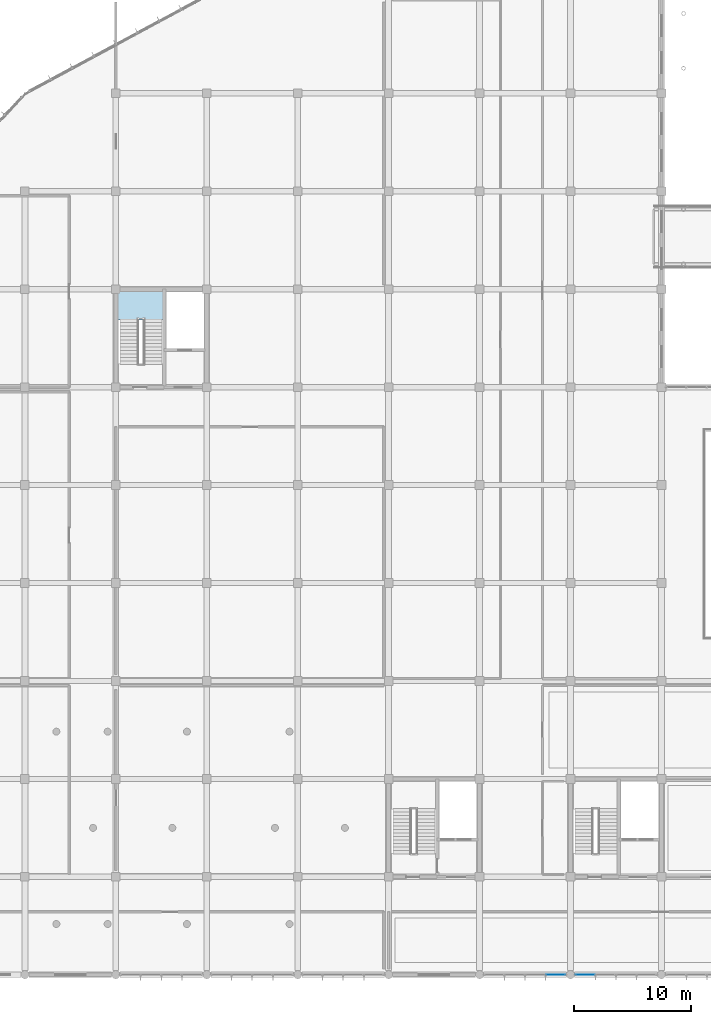
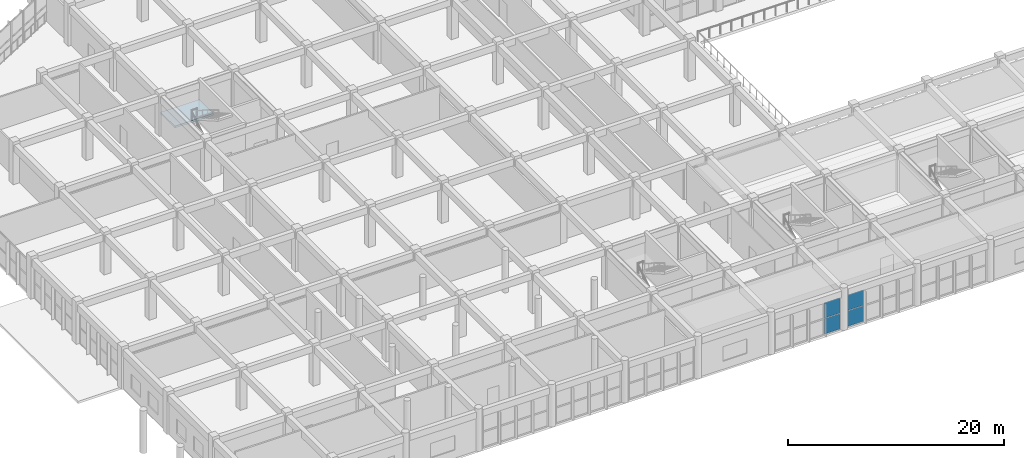
# One storey, part 135 of 175: 4 plates, 1 slab, 3 elements without a shape of their own.
"""IFC4 building model written with IfcOpenShell, lengths in metres."""

import ifcopenshell
import ifcopenshell.guid

model = None  # the IFC model being written
_history = None  # IfcOwnerHistory: only IFC2X3 demands one
_inside = {}  # id of a spatial element -> (the spatial element, [elements in it])
_under = {}  # id of a project, library or spatial element -> (it, [spatial elements below it])
_declared = {}  # id of a project -> (the project, [libraries it declares])
_typed = {}  # id of a type object -> (the type object, [elements of that type])
_made_of = {}  # id of a material, layer set ... -> (it, [elements and type objects made of it])


def new_model(schema):
    """Start an empty IFC model of exactly this schema.

    Asked for "IFC4X3", IfcOpenShell would pick the latest addendum, in which some entities
    have other attributes; the version numbers below select the first issue.
    IFC2X3 requires an IfcOwnerHistory on every rooted entity: one is made here for all.
    """
    global model, _history
    if schema == "IFC4X3":
        model = ifcopenshell.file(schema_version=(4, 3, 0, 0))
    else:
        model = ifcopenshell.file(schema=schema)
    _inside.clear()
    _under.clear()
    _declared.clear()
    _typed.clear()
    _made_of.clear()
    _history = None
    if model.schema == "IFC2X3":
        org = make("IfcOrganization", Name="unknown")
        user = make(
            "IfcPersonAndOrganization",
            ThePerson=make("IfcPerson", FamilyName="unknown"),
            TheOrganization=org,
        )
        app = make(
            "IfcApplication",
            ApplicationDeveloper=org,
            Version="unknown",
            ApplicationFullName="unknown",
            ApplicationIdentifier="unknown",
        )
        _history = make(
            "IfcOwnerHistory",
            OwningUser=user,
            OwningApplication=app,
            ChangeAction="ADDED",
            CreationDate=0,
        )
    return model


def make(cls, **values):
    """One entity of the class cls with the attributes given. An attribute that is None is left unset."""
    return model.create_entity(
        cls, **{name: value for name, value in values.items() if value is not None}
    )


def rooted(cls, **values):
    """An entity with a GlobalId (a new one), such as an element, a storey or a relation."""
    return make(cls, GlobalId=ifcopenshell.guid.new(), OwnerHistory=_history, **values)


def si_unit(unit_type, name, prefix=None):
    """IfcSIUnit, for example si_unit("LENGTHUNIT", "METRE", prefix="MILLI")."""
    return make("IfcSIUnit", UnitType=unit_type, Prefix=prefix, Name=name)


def assignment(units):
    """IfcUnitAssignment: the units of a project."""
    return None if units is None else make("IfcUnitAssignment", Units=units)


def point(xyz):
    """IfcCartesianPoint."""
    return None if xyz is None else make("IfcCartesianPoint", Coordinates=xyz)


def direction(xyz):
    """IfcDirection."""
    return None if xyz is None else make("IfcDirection", DirectionRatios=xyz)


def frame(location, z_axis=None, x_axis=None):
    """IfcAxis2Placement3D, a coordinate frame: its origin and axes. An axis left out is left unset."""
    return make(
        "IfcAxis2Placement3D",
        Location=point(location),
        Axis=direction(z_axis),
        RefDirection=direction(x_axis),
    )


def frame_2d(location, x_axis=None):
    """IfcAxis2Placement2D, a coordinate frame in the plane: its origin and x axis."""
    return make(
        "IfcAxis2Placement2D", Location=point(location), RefDirection=direction(x_axis)
    )


def origin():
    """The frame at (0, 0, 0) with its axes left unset."""
    return frame((0.0, 0.0, 0.0))


def origin_2d():
    """The frame at (0, 0) in the plane with its x axis left unset."""
    return frame_2d((0.0, 0.0))


def place(relative_to, where):
    """IfcLocalPlacement: puts the frame where relative to a parent placement (None: the world)."""
    return make(
        "IfcLocalPlacement", PlacementRelTo=relative_to, RelativePlacement=where
    )


def context(
    kind, dimensions, precision=None, world=None, true_north=None, identifier=None
):
    """IfcGeometricRepresentationContext, for example the 3D "Model" context."""
    return make(
        "IfcGeometricRepresentationContext",
        ContextIdentifier=identifier,
        ContextType=kind,
        CoordinateSpaceDimension=dimensions,
        Precision=precision,
        WorldCoordinateSystem=world,
        TrueNorth=true_north,
    )


def subcontext(parent, identifier, kind, view, scale=None):
    """IfcGeometricRepresentationSubContext, for example "Body" below "Model"."""
    return make(
        "IfcGeometricRepresentationSubContext",
        ContextIdentifier=identifier,
        ContextType=kind,
        ParentContext=parent,
        TargetScale=scale,
        TargetView=view,
    )


def project(units=None, contexts=None):
    """IfcProject with its units and contexts."""
    return rooted(
        "IfcProject",
        Name="project",
        RepresentationContexts=contexts,
        UnitsInContext=assignment(units),
    )


def spatial(cls, under=None, at=None, **own):
    """A site, building, storey or space (cls), placed at a placement, below another one or the project."""
    s = rooted(cls, ObjectPlacement=at, **own)
    if under is not None:
        _under.setdefault(under.id(), (under, []))[1].append(s)
    return s


def polyline(points):
    """IfcPolyline through the points."""
    return make("IfcPolyline", Points=[point(p) for p in points])


def profile(cls, at=None, kind="AREA", **sizes):
    """A parametric profile (cls). Its sizes go by their IFC names, for example OverallWidth=200.0."""
    return make(cls, ProfileType=kind, Position=at, **sizes)


def rectangle(**sizes):
    """IfcRectangleProfileDef."""
    return profile("IfcRectangleProfileDef", **sizes)


def outline(outer, holes=None, kind="AREA"):
    """IfcArbitraryClosedProfileDef: a profile drawn as a closed curve; with holes, ...WithVoids."""
    if holes is None:
        return make("IfcArbitraryClosedProfileDef", ProfileType=kind, OuterCurve=outer)
    return make(
        "IfcArbitraryProfileDefWithVoids",
        ProfileType=kind,
        OuterCurve=outer,
        InnerCurves=holes,
    )


def extrude(swept, where, along, depth):
    """IfcExtrudedAreaSolid: the profile swept, set in the frame where, extruded along a direction by depth."""
    return make(
        "IfcExtrudedAreaSolid",
        SweptArea=swept,
        Position=where,
        ExtrudedDirection=direction(along),
        Depth=depth,
    )


def shape(context_of_items, identifier, shape_type, items):
    """IfcShapeRepresentation: the items that make up one representation, for example the "Body"."""
    return make(
        "IfcShapeRepresentation",
        ContextOfItems=context_of_items,
        RepresentationIdentifier=identifier,
        RepresentationType=shape_type,
        Items=items,
    )


def material(Name=None, Category=None):
    """IfcMaterial."""
    return make("IfcMaterial", Name=Name, Category=Category)


def layer(
    of_material, thickness, ventilated=None, Name=None, Category=None, Priority=None
):
    """IfcMaterialLayer: one layer of a wall or slab, of a material (None: an air gap)."""
    return make(
        "IfcMaterialLayer",
        Material=of_material,
        LayerThickness=thickness,
        IsVentilated=ventilated,
        Name=Name,
        Category=Category,
        Priority=Priority,
    )


def layer_set(layers, Name=None):
    """IfcMaterialLayerSet."""
    return make("IfcMaterialLayerSet", MaterialLayers=layers, LayerSetName=Name)


def made_of(thing, what):
    """Note that an element or type object is made of a material, layer set ...; save() writes the relation."""
    if what is not None:
        _made_of.setdefault(what.id(), (what, []))[1].append(thing)
    return thing


def type_object(cls, material=None, **own):
    """A type object (cls), such as IfcWallType, which elements share."""
    return made_of(rooted(cls, **own), material)


def element(
    cls,
    number,
    at=None,
    inside=None,
    cuts=None,
    type_object=None,
    material=None,
    context=None,
    identifier="Body",
    shape_type=None,
    held_by="IfcProductDefinitionShape",
    body=None,
    shapes=None,
    **own,
):
    """One element of the class cls, such as IfcWall. Its Tag is "e" and its number.

    at: its placement. inside: the storey or other place that contains it. cuts: it is an
    opening in that element (IfcRelVoidsElement). A single representation is given by context,
    identifier, shape_type and body (its items); several are given by shapes. held_by: the class
    of the entity that holds the representations. save() writes the other relations.
    """
    e = rooted(cls, Tag="e%d" % number, ObjectPlacement=at, **own)
    if body is not None:
        shapes = [shape(context, identifier, shape_type, body)]
    if shapes is not None:
        e.Representation = make(held_by, Representations=shapes)
    if inside is not None:
        _inside.setdefault(inside.id(), (inside, []))[1].append(e)
    if cuts is not None:
        rooted(
            "IfcRelVoidsElement", RelatingBuildingElement=cuts, RelatedOpeningElement=e
        )
    if type_object is not None:
        _typed.setdefault(type_object.id(), (type_object, []))[1].append(e)
    return made_of(e, material)


def aggregate(whole, parts):
    """IfcRelAggregates: a whole, such as a stair, and the parts it consists of."""
    return rooted("IfcRelAggregates", RelatingObject=whole, RelatedObjects=parts)


def save(model, path):
    """Write the relations noted so far, then the file.

    IfcRelAggregates (storeys below a building ...), IfcRelContainedInSpatialStructure (elements
    in a storey), IfcRelDefinesByType, IfcRelAssociatesMaterial and IfcRelDeclares: one each for
    every whole, place, type object, material and project.
    """
    for whole, parts in _under.values():
        aggregate(whole, parts)
    for where, things in _inside.values():
        rooted(
            "IfcRelContainedInSpatialStructure",
            RelatedElements=things,
            RelatingStructure=where,
        )
    for kind, things in _typed.values():
        rooted("IfcRelDefinesByType", RelatedObjects=things, RelatingType=kind)
    for what, things in _made_of.values():
        rooted("IfcRelAssociatesMaterial", RelatedObjects=things, RelatingMaterial=what)
    for by, libraries in _declared.values():
        rooted("IfcRelDeclares", RelatingContext=by, RelatedDefinitions=libraries)
    model.write(path)


model = new_model("IFC4")

# Units and contexts
model_context = context("Model", 3, precision=1e-05, world=origin(), true_north=direction((0.0, 1.0)))
body_context = subcontext(model_context, "Body", "Model", "MODEL_VIEW")
ifc_project = project(units=[si_unit("LENGTHUNIT", "METRE"), si_unit("AREAUNIT", "SQUARE_METRE"), si_unit("VOLUMEUNIT", "CUBIC_METRE"), si_unit("PLANEANGLEUNIT", "RADIAN"), si_unit("MASSUNIT", "GRAM", prefix="KILO")], contexts=[model_context])

# Site, building, storey
site_placement = place(None, origin())
site = spatial("IfcSite", under=ifc_project, at=site_placement, CompositionType="ELEMENT")
building_placement = place(site_placement, origin())
building = spatial("IfcBuilding", under=site, at=building_placement, Name="Zizhar Promenade General Hospital", CompositionType="ELEMENT")
storey_placement = place(building_placement, frame((0.0, 0.0, 4.800048828125)))
storey = spatial("IfcBuildingStorey", under=building, at=storey_placement, Name="L01", CompositionType="ELEMENT", Elevation=4.800048828125)

# Curtain wall, plates
ifc_material_1 = material(Name="Anodised aluminium 6063-T6 and low-E glass", Category="aluminium")
ifc_layer_1 = layer(ifc_material_1, 0.159912109375)
ifc_layer_set_1 = layer_set([ifc_layer_1], Name="Anodised aluminium 6063-T6 and low-E glass")
curtain_wall_type = type_object("IfcCurtainWallType", Name="CW-DT-MOD1", PredefinedType="NOTDEFINED", material=ifc_layer_set_1)
curtain_wall_1_placement = place(storey_placement, origin())
curtain_wall_1 = element("IfcCurtainWall", 1, at=curtain_wall_1_placement, inside=storey, type_object=curtain_wall_type, Name="Riverfront Clinical Curtain Wall L01-6", PredefinedType="NOTDEFINED")
ifc_material_2 = material(Name="Low-E solar-control glass", Category="glass")
ifc_layer_2 = layer(ifc_material_2, 0.031982421875)
ifc_layer_set_2 = layer_set([ifc_layer_2], Name="Low-E solar-control glass")
plate_type = type_object("IfcPlateType", Name="CWP-GLZ-32", PredefinedType="CURTAIN_PANEL", material=ifc_layer_set_2)
plate_1_placement = place(storey_placement, frame((61.135009765625, 0.0, 0.06005859375), z_axis=(0.0, 0.0, 1.0), x_axis=(-1.0, 0.0, 0.0)))
plate_1 = element("IfcPlate", 2, at=plate_1_placement, type_object=plate_type, Name="CW-07 panel 1.1", PredefinedType="CURTAIN_PANEL", context=body_context, shape_type="SweptSolid", body=[
    extrude(rectangle(XDim=1.64990234375, YDim=0.031982421875, at=origin_2d()), origin(), (0.0, 0.0, 1.0), 1.75),
])
plate_2_placement = place(storey_placement, frame((61.135009765625, 0.0, 1.869873046875), z_axis=(0.0, 0.0, 1.0), x_axis=(-1.0, 0.0, 0.0)))
plate_2 = element("IfcPlate", 3, at=plate_2_placement, type_object=plate_type, Name="CW-07 panel 1.2", PredefinedType="CURTAIN_PANEL", context=body_context, shape_type="SweptSolid", body=[
    extrude(rectangle(XDim=1.64990234375, YDim=0.031982421875, at=origin_2d()), origin(), (0.0, 0.0, 1.0), 1.75),
])
aggregate(curtain_wall_1, [plate_1, plate_2])

curtain_wall_2_placement = place(storey_placement, origin())
curtain_wall_2 = element("IfcCurtainWall", 4, at=curtain_wall_2_placement, inside=storey, type_object=curtain_wall_type, Name="Riverfront Clinical Curtain Wall L01-7", PredefinedType="NOTDEFINED")
plate_3_placement = place(storey_placement, frame((63.6650390625, 0.0, 0.06005859375), z_axis=(0.0, 0.0, 1.0), x_axis=(-1.0, 0.0, 0.0)))
plate_3 = element("IfcPlate", 5, at=plate_3_placement, type_object=plate_type, Name="CW-07 panel 4.1", PredefinedType="CURTAIN_PANEL", context=body_context, shape_type="SweptSolid", body=[
    extrude(rectangle(XDim=1.64990234375, YDim=0.031982421875, at=origin_2d()), origin(), (0.0, 0.0, 1.0), 1.75),
])
plate_4_placement = place(storey_placement, frame((63.6650390625, 0.0, 1.869873046875), z_axis=(0.0, 0.0, 1.0), x_axis=(-1.0, 0.0, 0.0)))
plate_4 = element("IfcPlate", 6, at=plate_4_placement, type_object=plate_type, Name="CW-07 panel 4.2", PredefinedType="CURTAIN_PANEL", context=body_context, shape_type="SweptSolid", body=[
    extrude(rectangle(XDim=1.64990234375, YDim=0.031982421875, at=origin_2d()), origin(), (0.0, 0.0, 1.0), 1.75),
])
aggregate(curtain_wall_2, [plate_3, plate_4])

# Stair, slab
ifc_material_3 = material(Name="Concrete C35/45", Category="concrete")
stair_type = type_object("IfcStairType", Name="STR-DOG-480", PredefinedType="HALF_TURN_STAIR", material=ifc_material_3)
stair_placement = place(storey_placement, origin())
stair = element("IfcStair", 7, at=stair_placement, inside=storey, type_object=stair_type, Name="Exit Stair ST-01 (L01 to L02)", PredefinedType="HALF_TURN_STAIR")
ifc_material_4 = material(Name="Concrete C35/45", Category="concrete")
ifc_layer_3 = layer(ifc_material_4, 0.219970703125)
ifc_layer_set_3 = layer_set([ifc_layer_3], Name="Concrete C35/45")
slab_type = type_object("IfcSlabType", Name="SLB-LAND-480", PredefinedType="LANDING", material=ifc_layer_set_3)
slab_placement = place(storey_placement, frame((0.0, 0.0, 2.179931640625)))
slab = element("IfcSlab", 8, at=slab_placement, type_object=slab_type, Name="ST-01A landing 1", PredefinedType="LANDING", context=body_context, shape_type="SweptSolid", body=[
    extrude(outline(polyline([(23.39990234375, 56.169921875), (27.550048828125, 56.169921875), (27.550048828125, 58.800048828125), (23.39990234375, 58.800048828125), (23.39990234375, 56.169921875)])), origin(), (0.0, 0.0, 1.0), 0.219970703125),
])
aggregate(stair, [slab])

save(model, "model.ifc")
